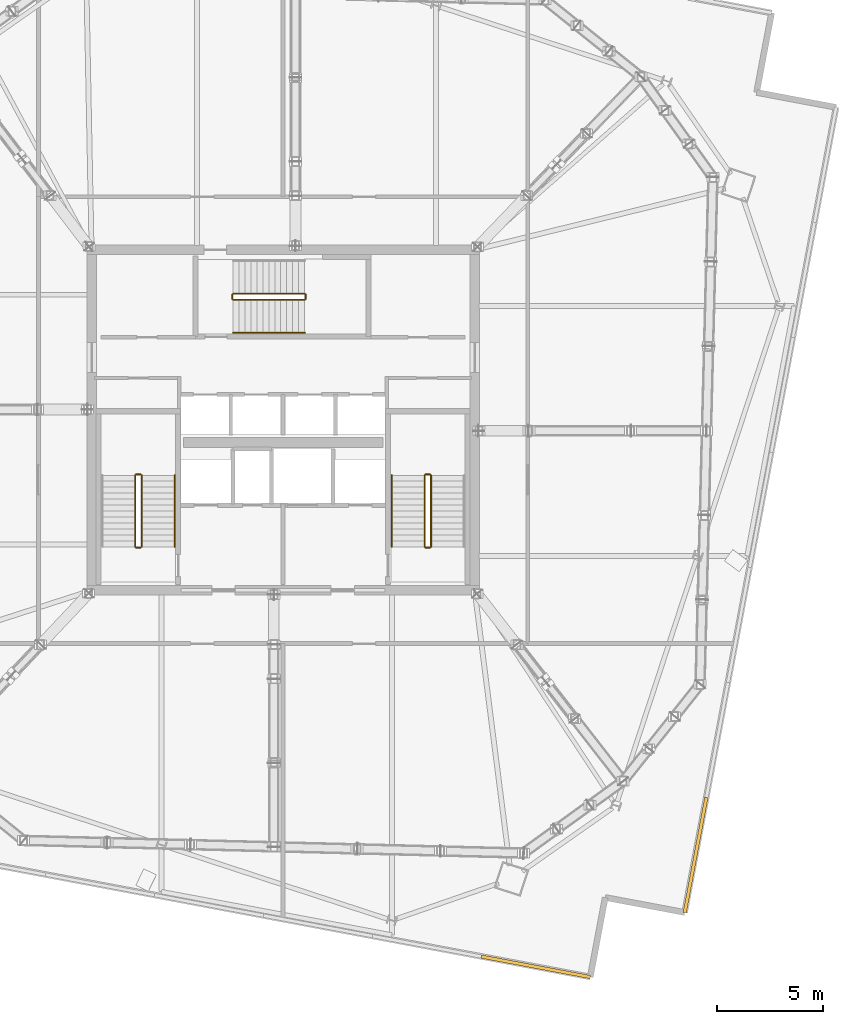
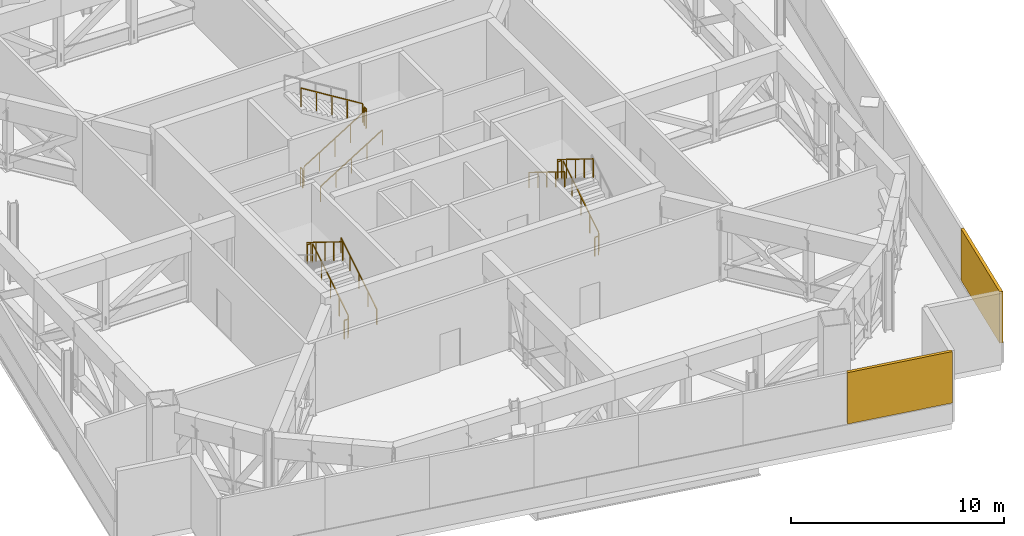
# One storey, part 14 of 15: 15 railings, 2 shading devices.
"""IFC4 building model written with IfcOpenShell, lengths in metres."""

import ifcopenshell
import ifcopenshell.guid

model = None  # the IFC model being written
_history = None  # IfcOwnerHistory: only IFC2X3 demands one
_inside = {}  # id of a spatial element -> (the spatial element, [elements in it])
_under = {}  # id of a project, library or spatial element -> (it, [spatial elements below it])
_declared = {}  # id of a project -> (the project, [libraries it declares])
_typed = {}  # id of a type object -> (the type object, [elements of that type])
_made_of = {}  # id of a material, layer set ... -> (it, [elements and type objects made of it])


def new_model(schema):
    """Start an empty IFC model of exactly this schema.

    Asked for "IFC4X3", IfcOpenShell would pick the latest addendum, in which some entities
    have other attributes; the version numbers below select the first issue.
    IFC2X3 requires an IfcOwnerHistory on every rooted entity: one is made here for all.
    """
    global model, _history
    if schema == "IFC4X3":
        model = ifcopenshell.file(schema_version=(4, 3, 0, 0))
    else:
        model = ifcopenshell.file(schema=schema)
    _inside.clear()
    _under.clear()
    _declared.clear()
    _typed.clear()
    _made_of.clear()
    _history = None
    if model.schema == "IFC2X3":
        org = make("IfcOrganization", Name="unknown")
        user = make(
            "IfcPersonAndOrganization",
            ThePerson=make("IfcPerson", FamilyName="unknown"),
            TheOrganization=org,
        )
        app = make(
            "IfcApplication",
            ApplicationDeveloper=org,
            Version="unknown",
            ApplicationFullName="unknown",
            ApplicationIdentifier="unknown",
        )
        _history = make(
            "IfcOwnerHistory",
            OwningUser=user,
            OwningApplication=app,
            ChangeAction="ADDED",
            CreationDate=0,
        )
    return model


def make(cls, **values):
    """One entity of the class cls with the attributes given. An attribute that is None is left unset."""
    return model.create_entity(
        cls, **{name: value for name, value in values.items() if value is not None}
    )


def rooted(cls, **values):
    """An entity with a GlobalId (a new one), such as an element, a storey or a relation."""
    return make(cls, GlobalId=ifcopenshell.guid.new(), OwnerHistory=_history, **values)


def si_unit(unit_type, name, prefix=None):
    """IfcSIUnit, for example si_unit("LENGTHUNIT", "METRE", prefix="MILLI")."""
    return make("IfcSIUnit", UnitType=unit_type, Prefix=prefix, Name=name)


def assignment(units):
    """IfcUnitAssignment: the units of a project."""
    return None if units is None else make("IfcUnitAssignment", Units=units)


def point(xyz):
    """IfcCartesianPoint."""
    return None if xyz is None else make("IfcCartesianPoint", Coordinates=xyz)


def direction(xyz):
    """IfcDirection."""
    return None if xyz is None else make("IfcDirection", DirectionRatios=xyz)


def frame(location, z_axis=None, x_axis=None):
    """IfcAxis2Placement3D, a coordinate frame: its origin and axes. An axis left out is left unset."""
    return make(
        "IfcAxis2Placement3D",
        Location=point(location),
        Axis=direction(z_axis),
        RefDirection=direction(x_axis),
    )


def frame_2d(location, x_axis=None):
    """IfcAxis2Placement2D, a coordinate frame in the plane: its origin and x axis."""
    return make(
        "IfcAxis2Placement2D", Location=point(location), RefDirection=direction(x_axis)
    )


def origin():
    """The frame at (0, 0, 0) with its axes left unset."""
    return frame((0.0, 0.0, 0.0))


def origin_2d():
    """The frame at (0, 0) in the plane with its x axis left unset."""
    return frame_2d((0.0, 0.0))


def place(relative_to, where):
    """IfcLocalPlacement: puts the frame where relative to a parent placement (None: the world)."""
    return make(
        "IfcLocalPlacement", PlacementRelTo=relative_to, RelativePlacement=where
    )


def context(
    kind, dimensions, precision=None, world=None, true_north=None, identifier=None
):
    """IfcGeometricRepresentationContext, for example the 3D "Model" context."""
    return make(
        "IfcGeometricRepresentationContext",
        ContextIdentifier=identifier,
        ContextType=kind,
        CoordinateSpaceDimension=dimensions,
        Precision=precision,
        WorldCoordinateSystem=world,
        TrueNorth=true_north,
    )


def subcontext(parent, identifier, kind, view, scale=None):
    """IfcGeometricRepresentationSubContext, for example "Body" below "Model"."""
    return make(
        "IfcGeometricRepresentationSubContext",
        ContextIdentifier=identifier,
        ContextType=kind,
        ParentContext=parent,
        TargetScale=scale,
        TargetView=view,
    )


def project(units=None, contexts=None):
    """IfcProject with its units and contexts."""
    return rooted(
        "IfcProject",
        Name="project",
        RepresentationContexts=contexts,
        UnitsInContext=assignment(units),
    )


def spatial(cls, under=None, at=None, **own):
    """A site, building, storey or space (cls), placed at a placement, below another one or the project."""
    s = rooted(cls, ObjectPlacement=at, **own)
    if under is not None:
        _under.setdefault(under.id(), (under, []))[1].append(s)
    return s


def profile(cls, at=None, kind="AREA", **sizes):
    """A parametric profile (cls). Its sizes go by their IFC names, for example OverallWidth=200.0."""
    return make(cls, ProfileType=kind, Position=at, **sizes)


def rectangle(**sizes):
    """IfcRectangleProfileDef."""
    return profile("IfcRectangleProfileDef", **sizes)


def extrude(swept, where, along, depth):
    """IfcExtrudedAreaSolid: the profile swept, set in the frame where, extruded along a direction by depth."""
    return make(
        "IfcExtrudedAreaSolid",
        SweptArea=swept,
        Position=where,
        ExtrudedDirection=direction(along),
        Depth=depth,
    )


def shape(context_of_items, identifier, shape_type, items):
    """IfcShapeRepresentation: the items that make up one representation, for example the "Body"."""
    return make(
        "IfcShapeRepresentation",
        ContextOfItems=context_of_items,
        RepresentationIdentifier=identifier,
        RepresentationType=shape_type,
        Items=items,
    )


def source(mapping_origin, context_of_items, identifier, shape_type, items):
    """IfcRepresentationMap: a shape defined once, which mapped items show again and again."""
    return make(
        "IfcRepresentationMap",
        MappingOrigin=mapping_origin,
        MappedRepresentation=shape(context_of_items, identifier, shape_type, items),
    )


def transform(
    local_origin,
    x_axis=None,
    y_axis=None,
    z_axis=None,
    scale=None,
    scale2=None,
    scale3=None,
    uniform=True,
):
    """IfcCartesianTransformationOperator3D, or its non-uniform kind. x_axis, y_axis, z_axis: its Axis1, 2, 3."""
    if uniform:
        return make(
            "IfcCartesianTransformationOperator3D",
            Axis1=direction(x_axis),
            Axis2=direction(y_axis),
            LocalOrigin=point(local_origin),
            Scale=scale,
            Axis3=direction(z_axis),
        )
    return make(
        "IfcCartesianTransformationOperator3DnonUniform",
        Axis1=direction(x_axis),
        Axis2=direction(y_axis),
        LocalOrigin=point(local_origin),
        Scale=scale,
        Axis3=direction(z_axis),
        Scale2=scale2,
        Scale3=scale3,
    )


def mapped(mapping_source, mapping_target):
    """IfcMappedItem: shows the shape of a source again, moved by a transform."""
    return make(
        "IfcMappedItem", MappingSource=mapping_source, MappingTarget=mapping_target
    )


def material(Name=None, Category=None):
    """IfcMaterial."""
    return make("IfcMaterial", Name=Name, Category=Category)


def layer(
    of_material, thickness, ventilated=None, Name=None, Category=None, Priority=None
):
    """IfcMaterialLayer: one layer of a wall or slab, of a material (None: an air gap)."""
    return make(
        "IfcMaterialLayer",
        Material=of_material,
        LayerThickness=thickness,
        IsVentilated=ventilated,
        Name=Name,
        Category=Category,
        Priority=Priority,
    )


def layer_set(layers, Name=None):
    """IfcMaterialLayerSet."""
    return make("IfcMaterialLayerSet", MaterialLayers=layers, LayerSetName=Name)


def made_of(thing, what):
    """Note that an element or type object is made of a material, layer set ...; save() writes the relation."""
    if what is not None:
        _made_of.setdefault(what.id(), (what, []))[1].append(thing)
    return thing


def type_object(cls, material=None, **own):
    """A type object (cls), such as IfcWallType, which elements share."""
    return made_of(rooted(cls, **own), material)


def element(
    cls,
    number,
    at=None,
    inside=None,
    cuts=None,
    type_object=None,
    material=None,
    context=None,
    identifier="Body",
    shape_type=None,
    held_by="IfcProductDefinitionShape",
    body=None,
    shapes=None,
    **own,
):
    """One element of the class cls, such as IfcWall. Its Tag is "e" and its number.

    at: its placement. inside: the storey or other place that contains it. cuts: it is an
    opening in that element (IfcRelVoidsElement). A single representation is given by context,
    identifier, shape_type and body (its items); several are given by shapes. held_by: the class
    of the entity that holds the representations. save() writes the other relations.
    """
    e = rooted(cls, Tag="e%d" % number, ObjectPlacement=at, **own)
    if body is not None:
        shapes = [shape(context, identifier, shape_type, body)]
    if shapes is not None:
        e.Representation = make(held_by, Representations=shapes)
    if inside is not None:
        _inside.setdefault(inside.id(), (inside, []))[1].append(e)
    if cuts is not None:
        rooted(
            "IfcRelVoidsElement", RelatingBuildingElement=cuts, RelatedOpeningElement=e
        )
    if type_object is not None:
        _typed.setdefault(type_object.id(), (type_object, []))[1].append(e)
    return made_of(e, material)


def aggregate(whole, parts):
    """IfcRelAggregates: a whole, such as a stair, and the parts it consists of."""
    return rooted("IfcRelAggregates", RelatingObject=whole, RelatedObjects=parts)


def save(model, path):
    """Write the relations noted so far, then the file.

    IfcRelAggregates (storeys below a building ...), IfcRelContainedInSpatialStructure (elements
    in a storey), IfcRelDefinesByType, IfcRelAssociatesMaterial and IfcRelDeclares: one each for
    every whole, place, type object, material and project.
    """
    for whole, parts in _under.values():
        aggregate(whole, parts)
    for where, things in _inside.values():
        rooted(
            "IfcRelContainedInSpatialStructure",
            RelatedElements=things,
            RelatingStructure=where,
        )
    for kind, things in _typed.values():
        rooted("IfcRelDefinesByType", RelatedObjects=things, RelatingType=kind)
    for what, things in _made_of.values():
        rooted("IfcRelAssociatesMaterial", RelatedObjects=things, RelatingMaterial=what)
    for by, libraries in _declared.values():
        rooted("IfcRelDeclares", RelatingContext=by, RelatedDefinitions=libraries)
    model.write(path)


model = new_model("IFC4")

# Units and contexts
model_context = context("Model", 3, precision=1e-05, world=origin(), true_north=direction((0.0, 1.0)))
body_context = subcontext(model_context, "Body", "Model", "MODEL_VIEW")
ifc_project = project(units=[si_unit("LENGTHUNIT", "METRE"), si_unit("AREAUNIT", "SQUARE_METRE"), si_unit("VOLUMEUNIT", "CUBIC_METRE"), si_unit("PLANEANGLEUNIT", "RADIAN"), si_unit("MASSUNIT", "GRAM", prefix="KILO")], contexts=[model_context])

# Site, building, storey
site_placement = place(None, origin())
site = spatial("IfcSite", under=ifc_project, at=site_placement, CompositionType="ELEMENT")
building_placement = place(site_placement, origin())
building = spatial("IfcBuilding", under=site, at=building_placement, Name="Haldenkirk Collegiate Tower", CompositionType="ELEMENT")
storey_placement = place(building_placement, frame((0.0, 0.0, 293.699951171875)))
storey = spatial("IfcBuildingStorey", under=building, at=storey_placement, Name="L74", CompositionType="ELEMENT", Elevation=293.699951171875)

# Railings
ifc_material_1 = material(Name="Painted architectural tubular steel", Category="steel")
railing_type_1 = type_object("IfcRailingType", Name="RLG-STAIR-GUARD-1100", PredefinedType="BALUSTRADE", material=ifc_material_1)
railing_1_placement = place(storey_placement, frame((29.35009765625, 20.050048828125, 0.173095703125)))
element("IfcRailing", 1, at=railing_1_placement, inside=storey, type_object=railing_type_1, Name="L74 ST-1 stair guard 1", PredefinedType="BALUSTRADE", context=body_context, shape_type="SweptSolid", body=[
    extrude(rectangle(XDim=0.048095703125, YDim=0.048095703125, at=origin_2d()), frame((0.0, 0.0, 1.076171875), z_axis=(0.0, 0.850606129759, 0.525803396734), x_axis=(-1.0, 0.0, 0.0)), (0.0, 0.0, 1.0), 3.949951171875),
    extrude(rectangle(XDim=0.0419921875, YDim=0.0419921875, at=origin_2d()), origin(), (0.0, 0.0, 1.0), 1.052001953125),
    extrude(rectangle(XDim=0.0419921875, YDim=0.0419921875, at=origin_2d()), frame((0.0, 0.83984375, 0.519287109375)), (0.0, 0.0, 1.0), 1.052001953125),
    extrude(rectangle(XDim=0.0419921875, YDim=0.0419921875, at=origin_2d()), frame((0.0, 1.679931640625, 1.03857421875)), (0.0, 0.0, 1.0), 1.052001953125),
    extrude(rectangle(XDim=0.0419921875, YDim=0.0419921875, at=origin_2d()), frame((0.0, 2.52001953125, 1.5576171875)), (0.0, 0.0, 1.0), 1.052001953125),
    extrude(rectangle(XDim=0.0419921875, YDim=0.0419921875, at=origin_2d()), frame((0.0, 3.35986328125, 2.076904296875)), (0.0, 0.0, 1.0), 1.052001953125),
])
railing_2_placement = place(storey_placement, frame((29.300048828125, 23.4599609375, 2.25)))
element("IfcRailing", 2, at=railing_2_placement, inside=storey, type_object=railing_type_1, Name="L74 ST-1 stair guard 2", PredefinedType="BALUSTRADE", context=body_context, shape_type="SweptSolid", body=[
    extrude(rectangle(XDim=0.048095703125, YDim=0.048095703125, at=origin_2d()), frame((0.0, 0.0, 1.076171875), z_axis=(-1.0, 0.0, 0.0), x_axis=(0.0, -1.0, 0.0)), (0.0, 0.0, 1.0), 0.199951171875),
    extrude(rectangle(XDim=0.0419921875, YDim=0.0419921875, at=origin_2d()), origin(), (0.0, 0.0, 1.0), 1.052001953125),
    extrude(rectangle(XDim=0.0419921875, YDim=0.0419921875, at=origin_2d()), frame((-0.199951171875, 0.0, 0.0)), (0.0, 0.0, 1.0), 1.052001953125),
])
railing_3_placement = place(storey_placement, frame((29.050048828125, 23.409912109375, 2.423095703125)))
element("IfcRailing", 3, at=railing_3_placement, inside=storey, type_object=railing_type_1, Name="L74 ST-1 stair guard 3", PredefinedType="BALUSTRADE", context=body_context, shape_type="SweptSolid", body=[
    extrude(rectangle(XDim=0.048095703125, YDim=0.048095703125, at=origin_2d()), frame((0.0, 0.0, 1.076171875), z_axis=(0.0, -0.850606129759, 0.525803396734), x_axis=(1.0, 0.0, 0.0)), (0.0, 0.0, 1.0), 3.949951171875),
    extrude(rectangle(XDim=0.0419921875, YDim=0.0419921875, at=origin_2d()), origin(), (0.0, 0.0, 1.0), 1.052001953125),
    extrude(rectangle(XDim=0.0419921875, YDim=0.0419921875, at=origin_2d()), frame((0.0, -0.83984375, 0.519287109375)), (0.0, 0.0, 1.0), 1.052001953125),
    extrude(rectangle(XDim=0.0419921875, YDim=0.0419921875, at=origin_2d()), frame((0.0, -1.679931640625, 1.03857421875)), (0.0, 0.0, 1.0), 1.052001953125),
    extrude(rectangle(XDim=0.0419921875, YDim=0.0419921875, at=origin_2d()), frame((0.0, -2.52001953125, 1.5576171875)), (0.0, 0.0, 1.0), 1.052001953125),
    extrude(rectangle(XDim=0.0419921875, YDim=0.0419921875, at=origin_2d()), frame((0.0, -3.35986328125, 2.076904296875)), (0.0, 0.0, 1.0), 1.052001953125),
])
railing_4_placement = place(storey_placement, frame((29.300048828125, 20.0, 0.0)))
element("IfcRailing", 4, at=railing_4_placement, inside=storey, type_object=railing_type_1, Name="L74 ST-1 stair guard 4", PredefinedType="BALUSTRADE", context=body_context, shape_type="SweptSolid", body=[
    extrude(rectangle(XDim=0.048095703125, YDim=0.048095703125, at=origin_2d()), frame((0.0, 0.0, 1.076171875), z_axis=(-1.0, 0.0, 0.0), x_axis=(0.0, -1.0, 0.0)), (0.0, 0.0, 1.0), 0.199951171875),
    extrude(rectangle(XDim=0.0419921875, YDim=0.0419921875, at=origin_2d()), origin(), (0.0, 0.0, 1.0), 1.052001953125),
    extrude(rectangle(XDim=0.0419921875, YDim=0.0419921875, at=origin_2d()), frame((-0.199951171875, 0.0, 0.0)), (0.0, 0.0, 1.0), 1.052001953125),
])
railing_5_placement = place(storey_placement, frame((42.949951171875, 20.050048828125, 0.173095703125)))
element("IfcRailing", 5, at=railing_5_placement, inside=storey, type_object=railing_type_1, Name="L74 ST-2 stair guard 1", PredefinedType="BALUSTRADE", context=body_context, shape_type="SweptSolid", body=[
    extrude(rectangle(XDim=0.048095703125, YDim=0.048095703125, at=origin_2d()), frame((0.0, 0.0, 1.076171875), z_axis=(0.0, 0.850606129759, 0.525803396734), x_axis=(-1.0, 0.0, 0.0)), (0.0, 0.0, 1.0), 3.949951171875),
    extrude(rectangle(XDim=0.0419921875, YDim=0.0419921875, at=origin_2d()), origin(), (0.0, 0.0, 1.0), 1.052001953125),
    extrude(rectangle(XDim=0.0419921875, YDim=0.0419921875, at=origin_2d()), frame((0.0, 0.83984375, 0.519287109375)), (0.0, 0.0, 1.0), 1.052001953125),
    extrude(rectangle(XDim=0.0419921875, YDim=0.0419921875, at=origin_2d()), frame((0.0, 1.679931640625, 1.03857421875)), (0.0, 0.0, 1.0), 1.052001953125),
    extrude(rectangle(XDim=0.0419921875, YDim=0.0419921875, at=origin_2d()), frame((0.0, 2.52001953125, 1.5576171875)), (0.0, 0.0, 1.0), 1.052001953125),
    extrude(rectangle(XDim=0.0419921875, YDim=0.0419921875, at=origin_2d()), frame((0.0, 3.35986328125, 2.076904296875)), (0.0, 0.0, 1.0), 1.052001953125),
])
railing_6_placement = place(storey_placement, frame((42.89990234375, 23.4599609375, 2.25)))
element("IfcRailing", 6, at=railing_6_placement, inside=storey, type_object=railing_type_1, Name="L74 ST-2 stair guard 2", PredefinedType="BALUSTRADE", context=body_context, shape_type="SweptSolid", body=[
    extrude(rectangle(XDim=0.048095703125, YDim=0.048095703125, at=origin_2d()), frame((0.0, 0.0, 1.076171875), z_axis=(-1.0, 0.0, 0.0), x_axis=(0.0, -1.0, 0.0)), (0.0, 0.0, 1.0), 0.199951171875),
    extrude(rectangle(XDim=0.0419921875, YDim=0.0419921875, at=origin_2d()), origin(), (0.0, 0.0, 1.0), 1.052001953125),
    extrude(rectangle(XDim=0.0419921875, YDim=0.0419921875, at=origin_2d()), frame((-0.199951171875, 0.0, 0.0)), (0.0, 0.0, 1.0), 1.052001953125),
])
railing_7_placement = place(storey_placement, frame((42.64990234375, 23.409912109375, 2.423095703125)))
element("IfcRailing", 7, at=railing_7_placement, inside=storey, type_object=railing_type_1, Name="L74 ST-2 stair guard 3", PredefinedType="BALUSTRADE", context=body_context, shape_type="SweptSolid", body=[
    extrude(rectangle(XDim=0.048095703125, YDim=0.048095703125, at=origin_2d()), frame((0.0, 0.0, 1.076171875), z_axis=(0.0, -0.850606129759, 0.525803396734), x_axis=(1.0, 0.0, 0.0)), (0.0, 0.0, 1.0), 3.949951171875),
    extrude(rectangle(XDim=0.0419921875, YDim=0.0419921875, at=origin_2d()), origin(), (0.0, 0.0, 1.0), 1.052001953125),
    extrude(rectangle(XDim=0.0419921875, YDim=0.0419921875, at=origin_2d()), frame((0.0, -0.83984375, 0.519287109375)), (0.0, 0.0, 1.0), 1.052001953125),
    extrude(rectangle(XDim=0.0419921875, YDim=0.0419921875, at=origin_2d()), frame((0.0, -1.679931640625, 1.03857421875)), (0.0, 0.0, 1.0), 1.052001953125),
    extrude(rectangle(XDim=0.0419921875, YDim=0.0419921875, at=origin_2d()), frame((0.0, -2.52001953125, 1.5576171875)), (0.0, 0.0, 1.0), 1.052001953125),
    extrude(rectangle(XDim=0.0419921875, YDim=0.0419921875, at=origin_2d()), frame((0.0, -3.35986328125, 2.076904296875)), (0.0, 0.0, 1.0), 1.052001953125),
])
railing_8_placement = place(storey_placement, frame((42.89990234375, 20.0, 0.0)))
element("IfcRailing", 8, at=railing_8_placement, inside=storey, type_object=railing_type_1, Name="L74 ST-2 stair guard 4", PredefinedType="BALUSTRADE", context=body_context, shape_type="SweptSolid", body=[
    extrude(rectangle(XDim=0.048095703125, YDim=0.048095703125, at=origin_2d()), frame((0.0, 0.0, 1.076171875), z_axis=(-1.0, 0.0, 0.0), x_axis=(0.0, -1.0, 0.0)), (0.0, 0.0, 1.0), 0.199951171875),
    extrude(rectangle(XDim=0.0419921875, YDim=0.0419921875, at=origin_2d()), origin(), (0.0, 0.0, 1.0), 1.052001953125),
    extrude(rectangle(XDim=0.0419921875, YDim=0.0419921875, at=origin_2d()), frame((-0.199951171875, 0.0, 0.0)), (0.0, 0.0, 1.0), 1.052001953125),
])
railing_9_placement = place(storey_placement, frame((33.64990234375, 31.64990234375, 0.173095703125)))
element("IfcRailing", 9, at=railing_9_placement, inside=storey, type_object=railing_type_1, Name="L74 ST-3 stair guard 1", PredefinedType="BALUSTRADE", context=body_context, shape_type="SweptSolid", body=[
    extrude(rectangle(XDim=0.048095703125, YDim=0.048095703125, at=origin_2d()), frame((0.0, 0.0, 1.076171875), z_axis=(0.850623216509, 0.0, 0.525775754039), x_axis=(0.0, 1.0, 0.0)), (0.0, 0.0, 1.0), 3.9501953125),
    extrude(rectangle(XDim=0.0419921875, YDim=0.0419921875, at=origin_2d()), origin(), (0.0, 0.0, 1.0), 1.052001953125),
    extrude(rectangle(XDim=0.0419921875, YDim=0.0419921875, at=origin_2d()), frame((0.840087890625, 0.0, 0.519287109375)), (0.0, 0.0, 1.0), 1.052001953125),
    extrude(rectangle(XDim=0.0419921875, YDim=0.0419921875, at=origin_2d()), frame((1.68017578125, 0.0, 1.03857421875)), (0.0, 0.0, 1.0), 1.052001953125),
    extrude(rectangle(XDim=0.0419921875, YDim=0.0419921875, at=origin_2d()), frame((2.52001953125, 0.0, 1.5576171875)), (0.0, 0.0, 1.0), 1.052001953125),
    extrude(rectangle(XDim=0.0419921875, YDim=0.0419921875, at=origin_2d()), frame((3.360107421875, 0.0, 2.076904296875)), (0.0, 0.0, 1.0), 1.052001953125),
])
railing_10_placement = place(storey_placement, frame((37.06005859375, 31.699951171875, 2.25)))
element("IfcRailing", 10, at=railing_10_placement, inside=storey, type_object=railing_type_1, Name="L74 ST-3 stair guard 2", PredefinedType="BALUSTRADE", context=body_context, shape_type="SweptSolid", body=[
    extrude(rectangle(XDim=0.048095703125, YDim=0.048095703125, at=origin_2d()), frame((0.0, 0.0, 1.076171875), z_axis=(0.0, 1.0, 0.0), x_axis=(-1.0, 0.0, 0.0)), (0.0, 0.0, 1.0), 0.199951171875),
    extrude(rectangle(XDim=0.0419921875, YDim=0.0419921875, at=origin_2d()), origin(), (0.0, 0.0, 1.0), 1.052001953125),
    extrude(rectangle(XDim=0.0419921875, YDim=0.0419921875, at=origin_2d()), frame((0.0, 0.199951171875, 0.0)), (0.0, 0.0, 1.0), 1.052001953125),
])
railing_11_placement = place(storey_placement, frame((37.010009765625, 31.949951171875, 2.423095703125)))
element("IfcRailing", 11, at=railing_11_placement, inside=storey, type_object=railing_type_1, Name="L74 ST-3 stair guard 3", PredefinedType="BALUSTRADE", context=body_context, shape_type="SweptSolid", body=[
    extrude(rectangle(XDim=0.048095703125, YDim=0.048095703125, at=origin_2d()), frame((0.0, 0.0, 1.076171875), z_axis=(-0.850623216509, 0.0, 0.525775754039), x_axis=(0.0, -1.0, 0.0)), (0.0, 0.0, 1.0), 3.9501953125),
    extrude(rectangle(XDim=0.0419921875, YDim=0.0419921875, at=origin_2d()), origin(), (0.0, 0.0, 1.0), 1.052001953125),
    extrude(rectangle(XDim=0.0419921875, YDim=0.0419921875, at=origin_2d()), frame((-0.840087890625, 0.0, 0.519287109375)), (0.0, 0.0, 1.0), 1.052001953125),
    extrude(rectangle(XDim=0.0419921875, YDim=0.0419921875, at=origin_2d()), frame((-1.68017578125, 0.0, 1.03857421875)), (0.0, 0.0, 1.0), 1.052001953125),
    extrude(rectangle(XDim=0.0419921875, YDim=0.0419921875, at=origin_2d()), frame((-2.52001953125, 0.0, 1.5576171875)), (0.0, 0.0, 1.0), 1.052001953125),
    extrude(rectangle(XDim=0.0419921875, YDim=0.0419921875, at=origin_2d()), frame((-3.360107421875, 0.0, 2.076904296875)), (0.0, 0.0, 1.0), 1.052001953125),
])
railing_12_placement = place(storey_placement, frame((33.60009765625, 31.699951171875, 0.0)))
element("IfcRailing", 12, at=railing_12_placement, inside=storey, type_object=railing_type_1, Name="L74 ST-3 stair guard 4", PredefinedType="BALUSTRADE", context=body_context, shape_type="SweptSolid", body=[
    extrude(rectangle(XDim=0.048095703125, YDim=0.048095703125, at=origin_2d()), frame((0.0, 0.0, 1.076171875), z_axis=(0.0, 1.0, 0.0), x_axis=(-1.0, 0.0, 0.0)), (0.0, 0.0, 1.0), 0.199951171875),
    extrude(rectangle(XDim=0.0419921875, YDim=0.0419921875, at=origin_2d()), origin(), (0.0, 0.0, 1.0), 1.052001953125),
    extrude(rectangle(XDim=0.0419921875, YDim=0.0419921875, at=origin_2d()), frame((0.0, 0.199951171875, 0.0)), (0.0, 0.0, 1.0), 1.052001953125),
])
railing_type_2 = type_object("IfcRailingType", Name="RLG-STAIR-HANDRAIL-900", PredefinedType="HANDRAIL", material=ifc_material_1)
railing_13_placement = place(storey_placement, frame((30.89990234375, 20.050048828125, 0.173095703125)))
element("IfcRailing", 13, at=railing_13_placement, inside=storey, type_object=railing_type_2, Name="L74 ST-1 stair handrail 1", PredefinedType="HANDRAIL", context=body_context, shape_type="SweptSolid", body=[
    extrude(rectangle(XDim=0.048095703125, YDim=0.048095703125, at=origin_2d()), frame((0.0, 0.0, 0.8759765625), z_axis=(0.0, 0.850606129759, 0.525803396734), x_axis=(-1.0, 0.0, 0.0)), (0.0, 0.0, 1.0), 3.949951171875),
    extrude(rectangle(XDim=0.0419921875, YDim=0.0419921875, at=origin_2d()), origin(), (0.0, 0.0, 1.0), 0.851806640625),
    extrude(rectangle(XDim=0.0419921875, YDim=0.0419921875, at=origin_2d()), frame((0.0, 0.83984375, 0.519287109375)), (0.0, 0.0, 1.0), 0.851806640625),
    extrude(rectangle(XDim=0.0419921875, YDim=0.0419921875, at=origin_2d()), frame((0.0, 1.679931640625, 1.03857421875)), (0.0, 0.0, 1.0), 0.851806640625),
    extrude(rectangle(XDim=0.0419921875, YDim=0.0419921875, at=origin_2d()), frame((0.0, 2.52001953125, 1.5576171875)), (0.0, 0.0, 1.0), 0.851806640625),
    extrude(rectangle(XDim=0.0419921875, YDim=0.0419921875, at=origin_2d()), frame((0.0, 3.35986328125, 2.076904296875)), (0.0, 0.0, 1.0), 0.851806640625),
])
railing_14_placement = place(storey_placement, frame((41.10009765625, 23.409912109375, 2.423095703125)))
element("IfcRailing", 14, at=railing_14_placement, inside=storey, type_object=railing_type_2, Name="L74 ST-2 stair handrail 2", PredefinedType="HANDRAIL", context=body_context, shape_type="SweptSolid", body=[
    extrude(rectangle(XDim=0.048095703125, YDim=0.048095703125, at=origin_2d()), frame((0.0, 0.0, 0.8759765625), z_axis=(0.0, -0.850606129759, 0.525803396734), x_axis=(1.0, 0.0, 0.0)), (0.0, 0.0, 1.0), 3.949951171875),
    extrude(rectangle(XDim=0.0419921875, YDim=0.0419921875, at=origin_2d()), origin(), (0.0, 0.0, 1.0), 0.851806640625),
    extrude(rectangle(XDim=0.0419921875, YDim=0.0419921875, at=origin_2d()), frame((0.0, -0.83984375, 0.519287109375)), (0.0, 0.0, 1.0), 0.851806640625),
    extrude(rectangle(XDim=0.0419921875, YDim=0.0419921875, at=origin_2d()), frame((0.0, -1.679931640625, 1.03857421875)), (0.0, 0.0, 1.0), 0.851806640625),
    extrude(rectangle(XDim=0.0419921875, YDim=0.0419921875, at=origin_2d()), frame((0.0, -2.52001953125, 1.5576171875)), (0.0, 0.0, 1.0), 0.851806640625),
    extrude(rectangle(XDim=0.0419921875, YDim=0.0419921875, at=origin_2d()), frame((0.0, -3.35986328125, 2.076904296875)), (0.0, 0.0, 1.0), 0.851806640625),
])
railing_15_placement = place(storey_placement, frame((33.64990234375, 30.10009765625, 0.173095703125)))
element("IfcRailing", 15, at=railing_15_placement, inside=storey, type_object=railing_type_2, Name="L74 ST-3 stair handrail 1", PredefinedType="HANDRAIL", context=body_context, shape_type="SweptSolid", body=[
    extrude(rectangle(XDim=0.048095703125, YDim=0.048095703125, at=origin_2d()), frame((0.0, 0.0, 0.8759765625), z_axis=(0.850623216509, 0.0, 0.525775754039), x_axis=(0.0, 1.0, 0.0)), (0.0, 0.0, 1.0), 3.9501953125),
    extrude(rectangle(XDim=0.0419921875, YDim=0.0419921875, at=origin_2d()), origin(), (0.0, 0.0, 1.0), 0.851806640625),
    extrude(rectangle(XDim=0.0419921875, YDim=0.0419921875, at=origin_2d()), frame((0.840087890625, 0.0, 0.519287109375)), (0.0, 0.0, 1.0), 0.851806640625),
    extrude(rectangle(XDim=0.0419921875, YDim=0.0419921875, at=origin_2d()), frame((1.68017578125, 0.0, 1.03857421875)), (0.0, 0.0, 1.0), 0.851806640625),
    extrude(rectangle(XDim=0.0419921875, YDim=0.0419921875, at=origin_2d()), frame((2.52001953125, 0.0, 1.5576171875)), (0.0, 0.0, 1.0), 0.851806640625),
    extrude(rectangle(XDim=0.0419921875, YDim=0.0419921875, at=origin_2d()), frame((3.360107421875, 0.0, 2.076904296875)), (0.0, 0.0, 1.0), 0.851806640625),
])

# Shading devices
ifc_material_2 = material(Name="Anodised architectural bronze aluminium", Category="aluminium")
ifc_layer = layer(ifc_material_2, 0.139892578125)
ifc_layer_set = layer_set([ifc_layer], Name="Anodised architectural bronze aluminium")
shading_device_type = type_object("IfcShadingDeviceType", Name="SHD-LOUVRE-CROWN", PredefinedType="JALOUSIE", material=ifc_layer_set)
shared_shape_1 = source(origin(), body_context, "Body", "SweptSolid", [
    extrude(rectangle(XDim=5.5, YDim=0.159912109375, at=origin_2d()), origin(), (0.0, 0.0, 1.0), 2.949951171875),
])
shading_device_1_placement = place(storey_placement, frame((55.382568359375, 5.56591796875, 1.14990234375), z_axis=(0.0, 0.0, 1.0), x_axis=(-0.184809053369, -0.982774447059, 0.0)))
element("IfcShadingDevice", 16, at=shading_device_1_placement, inside=storey, type_object=shading_device_type, Name="L74 mechanical intake louvre screen S7", PredefinedType="JALOUSIE", context=body_context, shape_type="MappedRepresentation", body=[
    mapped(shared_shape_1, transform((0.0, 0.0, 0.0), x_axis=(1.0, 0.0, 0.0), y_axis=(0.0, 1.0, 0.0), z_axis=(0.0, 0.0, 1.0), scale=1.0)),
])
shared_shape_2 = source(origin(), body_context, "Body", "SweptSolid", [
    extrude(rectangle(XDim=5.210693359375, YDim=0.159912109375, at=origin_2d()), origin(), (0.0, 0.0, 1.0), 2.949951171875),
])
shading_device_2_placement = place(storey_placement, frame((47.876953125, 0.3125, 1.14990234375), z_axis=(0.0, 0.0, 1.0), x_axis=(-0.982774447059, 0.184809053369, 0.0)))
element("IfcShadingDevice", 17, at=shading_device_2_placement, inside=storey, type_object=shading_device_type, Name="L74 mechanical intake louvre screen W1", PredefinedType="JALOUSIE", context=body_context, shape_type="MappedRepresentation", body=[
    mapped(shared_shape_2, transform((0.0, 0.0, 0.0), x_axis=(1.0, 0.0, 0.0), y_axis=(0.0, 1.0, 0.0), z_axis=(0.0, 0.0, 1.0), scale=1.0)),
])

save(model, "model.ifc")
